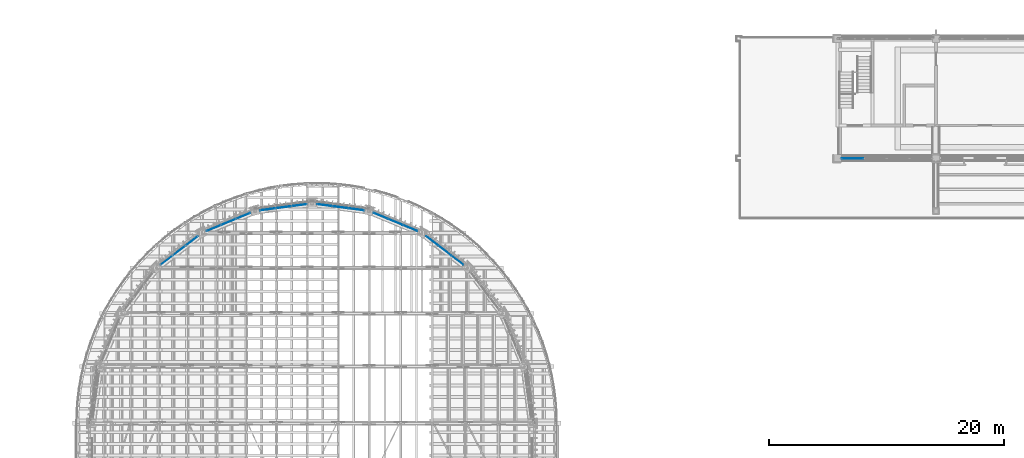
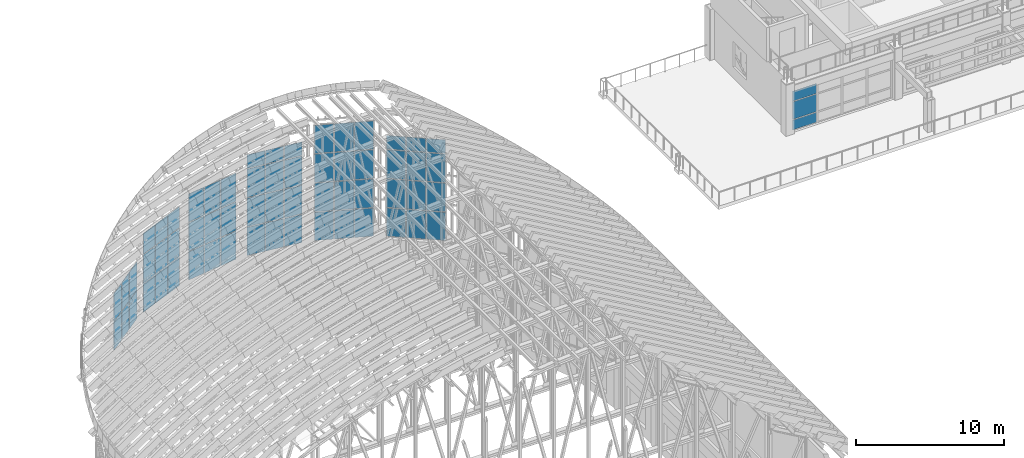
# One storey, part 50 of 105: 63 plates, 7 elements without a shape of their own.
"""IFC4 building model written with IfcOpenShell, lengths in metres."""

import ifcopenshell
import ifcopenshell.guid

model = None  # the IFC model being written
_history = None  # IfcOwnerHistory: only IFC2X3 demands one
_inside = {}  # id of a spatial element -> (the spatial element, [elements in it])
_under = {}  # id of a project, library or spatial element -> (it, [spatial elements below it])
_declared = {}  # id of a project -> (the project, [libraries it declares])
_typed = {}  # id of a type object -> (the type object, [elements of that type])
_made_of = {}  # id of a material, layer set ... -> (it, [elements and type objects made of it])


def new_model(schema):
    """Start an empty IFC model of exactly this schema.

    Asked for "IFC4X3", IfcOpenShell would pick the latest addendum, in which some entities
    have other attributes; the version numbers below select the first issue.
    IFC2X3 requires an IfcOwnerHistory on every rooted entity: one is made here for all.
    """
    global model, _history
    if schema == "IFC4X3":
        model = ifcopenshell.file(schema_version=(4, 3, 0, 0))
    else:
        model = ifcopenshell.file(schema=schema)
    _inside.clear()
    _under.clear()
    _declared.clear()
    _typed.clear()
    _made_of.clear()
    _history = None
    if model.schema == "IFC2X3":
        org = make("IfcOrganization", Name="unknown")
        user = make(
            "IfcPersonAndOrganization",
            ThePerson=make("IfcPerson", FamilyName="unknown"),
            TheOrganization=org,
        )
        app = make(
            "IfcApplication",
            ApplicationDeveloper=org,
            Version="unknown",
            ApplicationFullName="unknown",
            ApplicationIdentifier="unknown",
        )
        _history = make(
            "IfcOwnerHistory",
            OwningUser=user,
            OwningApplication=app,
            ChangeAction="ADDED",
            CreationDate=0,
        )
    return model


def make(cls, **values):
    """One entity of the class cls with the attributes given. An attribute that is None is left unset."""
    return model.create_entity(
        cls, **{name: value for name, value in values.items() if value is not None}
    )


def rooted(cls, **values):
    """An entity with a GlobalId (a new one), such as an element, a storey or a relation."""
    return make(cls, GlobalId=ifcopenshell.guid.new(), OwnerHistory=_history, **values)


def si_unit(unit_type, name, prefix=None):
    """IfcSIUnit, for example si_unit("LENGTHUNIT", "METRE", prefix="MILLI")."""
    return make("IfcSIUnit", UnitType=unit_type, Prefix=prefix, Name=name)


def assignment(units):
    """IfcUnitAssignment: the units of a project."""
    return None if units is None else make("IfcUnitAssignment", Units=units)


def point(xyz):
    """IfcCartesianPoint."""
    return None if xyz is None else make("IfcCartesianPoint", Coordinates=xyz)


def direction(xyz):
    """IfcDirection."""
    return None if xyz is None else make("IfcDirection", DirectionRatios=xyz)


def frame(location, z_axis=None, x_axis=None):
    """IfcAxis2Placement3D, a coordinate frame: its origin and axes. An axis left out is left unset."""
    return make(
        "IfcAxis2Placement3D",
        Location=point(location),
        Axis=direction(z_axis),
        RefDirection=direction(x_axis),
    )


def frame_2d(location, x_axis=None):
    """IfcAxis2Placement2D, a coordinate frame in the plane: its origin and x axis."""
    return make(
        "IfcAxis2Placement2D", Location=point(location), RefDirection=direction(x_axis)
    )


def origin():
    """The frame at (0, 0, 0) with its axes left unset."""
    return frame((0.0, 0.0, 0.0))


def origin_2d():
    """The frame at (0, 0) in the plane with its x axis left unset."""
    return frame_2d((0.0, 0.0))


def place(relative_to, where):
    """IfcLocalPlacement: puts the frame where relative to a parent placement (None: the world)."""
    return make(
        "IfcLocalPlacement", PlacementRelTo=relative_to, RelativePlacement=where
    )


def context(
    kind, dimensions, precision=None, world=None, true_north=None, identifier=None
):
    """IfcGeometricRepresentationContext, for example the 3D "Model" context."""
    return make(
        "IfcGeometricRepresentationContext",
        ContextIdentifier=identifier,
        ContextType=kind,
        CoordinateSpaceDimension=dimensions,
        Precision=precision,
        WorldCoordinateSystem=world,
        TrueNorth=true_north,
    )


def subcontext(parent, identifier, kind, view, scale=None):
    """IfcGeometricRepresentationSubContext, for example "Body" below "Model"."""
    return make(
        "IfcGeometricRepresentationSubContext",
        ContextIdentifier=identifier,
        ContextType=kind,
        ParentContext=parent,
        TargetScale=scale,
        TargetView=view,
    )


def project(units=None, contexts=None):
    """IfcProject with its units and contexts."""
    return rooted(
        "IfcProject",
        Name="project",
        RepresentationContexts=contexts,
        UnitsInContext=assignment(units),
    )


def spatial(cls, under=None, at=None, **own):
    """A site, building, storey or space (cls), placed at a placement, below another one or the project."""
    s = rooted(cls, ObjectPlacement=at, **own)
    if under is not None:
        _under.setdefault(under.id(), (under, []))[1].append(s)
    return s


def profile(cls, at=None, kind="AREA", **sizes):
    """A parametric profile (cls). Its sizes go by their IFC names, for example OverallWidth=200.0."""
    return make(cls, ProfileType=kind, Position=at, **sizes)


def rectangle(**sizes):
    """IfcRectangleProfileDef."""
    return profile("IfcRectangleProfileDef", **sizes)


def extrude(swept, where, along, depth):
    """IfcExtrudedAreaSolid: the profile swept, set in the frame where, extruded along a direction by depth."""
    return make(
        "IfcExtrudedAreaSolid",
        SweptArea=swept,
        Position=where,
        ExtrudedDirection=direction(along),
        Depth=depth,
    )


def shape(context_of_items, identifier, shape_type, items):
    """IfcShapeRepresentation: the items that make up one representation, for example the "Body"."""
    return make(
        "IfcShapeRepresentation",
        ContextOfItems=context_of_items,
        RepresentationIdentifier=identifier,
        RepresentationType=shape_type,
        Items=items,
    )


def material(Name=None, Category=None):
    """IfcMaterial."""
    return make("IfcMaterial", Name=Name, Category=Category)


def layer(
    of_material, thickness, ventilated=None, Name=None, Category=None, Priority=None
):
    """IfcMaterialLayer: one layer of a wall or slab, of a material (None: an air gap)."""
    return make(
        "IfcMaterialLayer",
        Material=of_material,
        LayerThickness=thickness,
        IsVentilated=ventilated,
        Name=Name,
        Category=Category,
        Priority=Priority,
    )


def layer_set(layers, Name=None):
    """IfcMaterialLayerSet."""
    return make("IfcMaterialLayerSet", MaterialLayers=layers, LayerSetName=Name)


def made_of(thing, what):
    """Note that an element or type object is made of a material, layer set ...; save() writes the relation."""
    if what is not None:
        _made_of.setdefault(what.id(), (what, []))[1].append(thing)
    return thing


def type_object(cls, material=None, **own):
    """A type object (cls), such as IfcWallType, which elements share."""
    return made_of(rooted(cls, **own), material)


def element(
    cls,
    number,
    at=None,
    inside=None,
    cuts=None,
    type_object=None,
    material=None,
    context=None,
    identifier="Body",
    shape_type=None,
    held_by="IfcProductDefinitionShape",
    body=None,
    shapes=None,
    **own,
):
    """One element of the class cls, such as IfcWall. Its Tag is "e" and its number.

    at: its placement. inside: the storey or other place that contains it. cuts: it is an
    opening in that element (IfcRelVoidsElement). A single representation is given by context,
    identifier, shape_type and body (its items); several are given by shapes. held_by: the class
    of the entity that holds the representations. save() writes the other relations.
    """
    e = rooted(cls, Tag="e%d" % number, ObjectPlacement=at, **own)
    if body is not None:
        shapes = [shape(context, identifier, shape_type, body)]
    if shapes is not None:
        e.Representation = make(held_by, Representations=shapes)
    if inside is not None:
        _inside.setdefault(inside.id(), (inside, []))[1].append(e)
    if cuts is not None:
        rooted(
            "IfcRelVoidsElement", RelatingBuildingElement=cuts, RelatedOpeningElement=e
        )
    if type_object is not None:
        _typed.setdefault(type_object.id(), (type_object, []))[1].append(e)
    return made_of(e, material)


def aggregate(whole, parts):
    """IfcRelAggregates: a whole, such as a stair, and the parts it consists of."""
    return rooted("IfcRelAggregates", RelatingObject=whole, RelatedObjects=parts)


def save(model, path):
    """Write the relations noted so far, then the file.

    IfcRelAggregates (storeys below a building ...), IfcRelContainedInSpatialStructure (elements
    in a storey), IfcRelDefinesByType, IfcRelAssociatesMaterial and IfcRelDeclares: one each for
    every whole, place, type object, material and project.
    """
    for whole, parts in _under.values():
        aggregate(whole, parts)
    for where, things in _inside.values():
        rooted(
            "IfcRelContainedInSpatialStructure",
            RelatedElements=things,
            RelatingStructure=where,
        )
    for kind, things in _typed.values():
        rooted("IfcRelDefinesByType", RelatedObjects=things, RelatingType=kind)
    for what, things in _made_of.values():
        rooted("IfcRelAssociatesMaterial", RelatedObjects=things, RelatingMaterial=what)
    for by, libraries in _declared.values():
        rooted("IfcRelDeclares", RelatingContext=by, RelatedDefinitions=libraries)
    model.write(path)


model = new_model("IFC4")

# Units and contexts
model_context = context("Model", 3, precision=1e-05, world=origin(), true_north=direction((0.0, 1.0)))
body_context = subcontext(model_context, "Body", "Model", "MODEL_VIEW")
ifc_project = project(units=[si_unit("LENGTHUNIT", "METRE"), si_unit("AREAUNIT", "SQUARE_METRE"), si_unit("VOLUMEUNIT", "CUBIC_METRE"), si_unit("PLANEANGLEUNIT", "RADIAN"), si_unit("MASSUNIT", "GRAM", prefix="KILO")], contexts=[model_context])

# Site, building, storey
site_placement = place(None, origin())
site = spatial("IfcSite", under=ifc_project, at=site_placement, CompositionType="ELEMENT")
building_placement = place(site_placement, origin())
building = spatial("IfcBuilding", under=site, at=building_placement, Name="Wasatch Bagh Community Centre", CompositionType="ELEMENT")
storey_placement = place(building_placement, frame((0.0, 0.0, 16.800048828125)))
storey = spatial("IfcBuildingStorey", under=building, at=storey_placement, Name="L04", CompositionType="ELEMENT", Elevation=16.800048828125)

# Curtain wall, plates
ifc_material_1 = material(Name="Aluminium curtain wall frame with low-iron glass", Category="aluminium")
ifc_layer_1 = layer(ifc_material_1, 0.139892578125)
ifc_layer_set_1 = layer_set([ifc_layer_1], Name="Aluminium curtain wall frame with low-iron glass")
curtain_wall_type_1 = type_object("IfcCurtainWallType", Name="LW terrace front curtain wall 140", PredefinedType="NOTDEFINED", material=ifc_layer_set_1)
curtain_wall_1_placement = place(storey_placement, origin())
curtain_wall_1 = element("IfcCurtainWall", 1, at=curtain_wall_1_placement, inside=storey, type_object=curtain_wall_type_1, Name="Curtain wall 04.01", PredefinedType="NOTDEFINED")
ifc_material_2 = material(Name="Low-iron insulated glass", Category="glass")
ifc_layer_2 = layer(ifc_material_2, 0.028076171875)
ifc_layer_set_2 = layer_set([ifc_layer_2], Name="Low-iron insulated glass")
plate_type_1 = type_object("IfcPlateType", Name="LW curtain wall panel 28 LW-CW3", PredefinedType="CURTAIN_PANEL", material=ifc_layer_set_2)
plate_1_placement = place(storey_placement, frame((82.090087890625, 87.60009765625, 0.059814453125), z_axis=(0.0, 0.0, 1.0), x_axis=(1.0, 0.0, 0.0)))
plate_1 = element("IfcPlate", 2, at=plate_1_placement, type_object=plate_type_1, Name="LW-CW3 panel 1.1", PredefinedType="CURTAIN_PANEL", context=body_context, shape_type="SweptSolid", body=[
    extrude(rectangle(XDim=1.860107421875, YDim=0.028076171875, at=origin_2d()), origin(), (0.0, 0.0, 1.0), 0.81005859375),
])
plate_2_placement = place(storey_placement, frame((82.090087890625, 87.60009765625, 0.929931640625), z_axis=(0.0, 0.0, 1.0), x_axis=(1.0, 0.0, 0.0)))
plate_2 = element("IfcPlate", 3, at=plate_2_placement, type_object=plate_type_1, Name="LW-CW3 panel 1.2", PredefinedType="CURTAIN_PANEL", context=body_context, shape_type="SweptSolid", body=[
    extrude(rectangle(XDim=1.860107421875, YDim=0.028076171875, at=origin_2d()), origin(), (0.0, 0.0, 1.0), 1.43994140625),
])
plate_3_placement = place(storey_placement, frame((82.090087890625, 87.60009765625, 2.429931640625), z_axis=(0.0, 0.0, 1.0), x_axis=(1.0, 0.0, 0.0)))
plate_3 = element("IfcPlate", 4, at=plate_3_placement, type_object=plate_type_1, Name="LW-CW3 panel 1.3", PredefinedType="CURTAIN_PANEL", context=body_context, shape_type="SweptSolid", body=[
    extrude(rectangle(XDim=1.860107421875, YDim=0.028076171875, at=origin_2d()), origin(), (0.0, 0.0, 1.0), 0.81005859375),
])
aggregate(curtain_wall_1, [plate_1, plate_2, plate_3])

ifc_layer_3 = layer(ifc_material_1, 0.10009765625)
ifc_layer_set_3 = layer_set([ifc_layer_3], Name="Aluminium curtain wall frame with low-iron glass")
curtain_wall_type_2 = type_object("IfcCurtainWallType", Name="MH end screen curtain wall 7", PredefinedType="NOTDEFINED", material=ifc_layer_set_3)
curtain_wall_2_placement = place(storey_placement, origin())
curtain_wall_2 = element("IfcCurtainWall", 5, at=curtain_wall_2_placement, inside=storey, type_object=curtain_wall_type_2, Name="End screen 22", PredefinedType="NOTDEFINED")
ifc_layer_4 = layer(ifc_material_2, 0.028076171875)
ifc_layer_set_4 = layer_set([ifc_layer_4], Name="Low-iron insulated glass")
plate_type_2 = type_object("IfcPlateType", Name="MH end screen panel 28", PredefinedType="CURTAIN_PANEL", material=ifc_layer_set_4)
plate_4_placement = place(storey_placement, frame((47.316650390625, 79.748046875, 7.760009765625), z_axis=(0.0, 0.0, 1.0), x_axis=(-0.79335334027, 0.608761429036, 0.0)))
plate_4 = element("IfcPlate", 6, at=plate_4_placement, type_object=plate_type_2, Name="MH-CW7 panel 2.1", PredefinedType="CURTAIN_PANEL", context=body_context, shape_type="SweptSolid", body=[
    extrude(rectangle(XDim=1.31396484375, YDim=0.028076171875, at=origin_2d()), origin(), (0.0, 0.0, 1.0), 2.31005859375),
])
plate_5_placement = place(storey_placement, frame((47.316650390625, 79.748046875, 10.1298828125), z_axis=(0.0, 0.0, 1.0), x_axis=(-0.79335334027, 0.608761429036, 0.0)))
plate_5 = element("IfcPlate", 7, at=plate_5_placement, type_object=plate_type_2, Name="MH-CW7 panel 2.2", PredefinedType="CURTAIN_PANEL", context=body_context, shape_type="SweptSolid", body=[
    extrude(rectangle(XDim=1.31396484375, YDim=0.028076171875, at=origin_2d()), origin(), (0.0, 0.0, 1.0), 2.340087890625),
])

curtain_wall_3_placement = place(storey_placement, origin())
curtain_wall_3 = element("IfcCurtainWall", 8, at=curtain_wall_3_placement, inside=storey, type_object=curtain_wall_type_2, Name="End screen 24", PredefinedType="NOTDEFINED")
plate_6_placement = place(storey_placement, frame((39.773681640625, 83.253173828125, 7.760009765625), z_axis=(0.0, 0.0, 1.0), x_axis=(-0.991444861374, 0.13052619222, 0.0)))
plate_6 = element("IfcPlate", 9, at=plate_6_placement, type_object=plate_type_2, Name="MH-CW7 panel 1.1", PredefinedType="CURTAIN_PANEL", context=body_context, shape_type="SweptSolid", body=[
    extrude(rectangle(XDim=1.283935546875, YDim=0.028076171875, at=origin_2d()), origin(), (0.0, 0.0, 1.0), 2.31005859375),
])
plate_7_placement = place(storey_placement, frame((39.773681640625, 83.253173828125, 10.1298828125), z_axis=(0.0, 0.0, 1.0), x_axis=(-0.991444861374, 0.13052619222, 0.0)))
plate_7 = element("IfcPlate", 10, at=plate_7_placement, type_object=plate_type_2, Name="MH-CW7 panel 1.2", PredefinedType="CURTAIN_PANEL", context=body_context, shape_type="SweptSolid", body=[
    extrude(rectangle(XDim=1.283935546875, YDim=0.028076171875, at=origin_2d()), origin(), (0.0, 0.0, 1.0), 2.340087890625),
])
plate_8_placement = place(storey_placement, frame((39.773681640625, 83.253173828125, 12.52978515625), z_axis=(0.0, 0.0, 1.0), x_axis=(-0.991444861374, 0.13052619222, 0.0)))
plate_8 = element("IfcPlate", 11, at=plate_8_placement, type_object=plate_type_2, Name="MH-CW7 panel 1.3", PredefinedType="CURTAIN_PANEL", context=body_context, shape_type="SweptSolid", body=[
    extrude(rectangle(XDim=1.283935546875, YDim=0.028076171875, at=origin_2d()), origin(), (0.0, 0.0, 1.0), 2.340087890625),
])
plate_9_placement = place(storey_placement, frame((39.773681640625, 83.253173828125, 14.9296875), z_axis=(0.0, 0.0, 1.0), x_axis=(-0.991444861374, 0.13052619222, 0.0)))
plate_9 = element("IfcPlate", 12, at=plate_9_placement, type_object=plate_type_2, Name="MH-CW7 panel 1.4", PredefinedType="CURTAIN_PANEL", context=body_context, shape_type="SweptSolid", body=[
    extrude(rectangle(XDim=1.283935546875, YDim=0.028076171875, at=origin_2d()), origin(), (0.0, 0.0, 1.0), 1.110107421875),
])
plate_10_placement = place(storey_placement, frame((38.426513671875, 83.4306640625, 7.760009765625), z_axis=(0.0, 0.0, 1.0), x_axis=(-0.991444861374, 0.13052619222, 0.0)))
plate_10 = element("IfcPlate", 13, at=plate_10_placement, type_object=plate_type_2, Name="MH-CW7 panel 2.1", PredefinedType="CURTAIN_PANEL", context=body_context, shape_type="SweptSolid", body=[
    extrude(rectangle(XDim=1.31396484375, YDim=0.028076171875, at=origin_2d()), origin(), (0.0, 0.0, 1.0), 2.31005859375),
])
plate_11_placement = place(storey_placement, frame((38.426513671875, 83.4306640625, 10.1298828125), z_axis=(0.0, 0.0, 1.0), x_axis=(-0.991444861374, 0.13052619222, 0.0)))
plate_11 = element("IfcPlate", 14, at=plate_11_placement, type_object=plate_type_2, Name="MH-CW7 panel 2.2", PredefinedType="CURTAIN_PANEL", context=body_context, shape_type="SweptSolid", body=[
    extrude(rectangle(XDim=1.31396484375, YDim=0.028076171875, at=origin_2d()), origin(), (0.0, 0.0, 1.0), 2.340087890625),
])
plate_12_placement = place(storey_placement, frame((38.426513671875, 83.4306640625, 12.52978515625), z_axis=(0.0, 0.0, 1.0), x_axis=(-0.991444861374, 0.13052619222, 0.0)))
plate_12 = element("IfcPlate", 15, at=plate_12_placement, type_object=plate_type_2, Name="MH-CW7 panel 2.3", PredefinedType="CURTAIN_PANEL", context=body_context, shape_type="SweptSolid", body=[
    extrude(rectangle(XDim=1.31396484375, YDim=0.028076171875, at=origin_2d()), origin(), (0.0, 0.0, 1.0), 2.340087890625),
])
plate_13_placement = place(storey_placement, frame((38.426513671875, 83.4306640625, 14.9296875), z_axis=(0.0, 0.0, 1.0), x_axis=(-0.991444861374, 0.13052619222, 0.0)))
plate_13 = element("IfcPlate", 16, at=plate_13_placement, type_object=plate_type_2, Name="MH-CW7 panel 2.4", PredefinedType="CURTAIN_PANEL", context=body_context, shape_type="SweptSolid", body=[
    extrude(rectangle(XDim=1.31396484375, YDim=0.028076171875, at=origin_2d()), origin(), (0.0, 0.0, 1.0), 1.110107421875),
])
plate_14_placement = place(storey_placement, frame((37.0791015625, 83.60791015625, 7.760009765625), z_axis=(0.0, 0.0, 1.0), x_axis=(-0.991444861374, 0.13052619222, 0.0)))
plate_14 = element("IfcPlate", 17, at=plate_14_placement, type_object=plate_type_2, Name="MH-CW7 panel 3.1", PredefinedType="CURTAIN_PANEL", context=body_context, shape_type="SweptSolid", body=[
    extrude(rectangle(XDim=1.283935546875, YDim=0.028076171875, at=origin_2d()), origin(), (0.0, 0.0, 1.0), 2.31005859375),
])
plate_15_placement = place(storey_placement, frame((37.0791015625, 83.60791015625, 10.1298828125), z_axis=(0.0, 0.0, 1.0), x_axis=(-0.991444861374, 0.13052619222, 0.0)))
plate_15 = element("IfcPlate", 18, at=plate_15_placement, type_object=plate_type_2, Name="MH-CW7 panel 3.2", PredefinedType="CURTAIN_PANEL", context=body_context, shape_type="SweptSolid", body=[
    extrude(rectangle(XDim=1.283935546875, YDim=0.028076171875, at=origin_2d()), origin(), (0.0, 0.0, 1.0), 2.340087890625),
])
plate_16_placement = place(storey_placement, frame((37.0791015625, 83.60791015625, 12.52978515625), z_axis=(0.0, 0.0, 1.0), x_axis=(-0.991444861374, 0.13052619222, 0.0)))
plate_16 = element("IfcPlate", 19, at=plate_16_placement, type_object=plate_type_2, Name="MH-CW7 panel 3.3", PredefinedType="CURTAIN_PANEL", context=body_context, shape_type="SweptSolid", body=[
    extrude(rectangle(XDim=1.283935546875, YDim=0.028076171875, at=origin_2d()), origin(), (0.0, 0.0, 1.0), 2.340087890625),
])
plate_17_placement = place(storey_placement, frame((37.0791015625, 83.60791015625, 14.9296875), z_axis=(0.0, 0.0, 1.0), x_axis=(-0.991444861374, 0.13052619222, 0.0)))
plate_17 = element("IfcPlate", 20, at=plate_17_placement, type_object=plate_type_2, Name="MH-CW7 panel 3.4", PredefinedType="CURTAIN_PANEL", context=body_context, shape_type="SweptSolid", body=[
    extrude(rectangle(XDim=1.283935546875, YDim=0.028076171875, at=origin_2d()), origin(), (0.0, 0.0, 1.0), 1.110107421875),
])
aggregate(curtain_wall_3, [plate_6, plate_7, plate_8, plate_9, plate_10, plate_11, plate_12, plate_13, plate_14, plate_15, plate_16, plate_17])

ifc_layer_5 = layer(ifc_material_1, 0.10009765625)
ifc_layer_set_5 = layer_set([ifc_layer_5], Name="Aluminium curtain wall frame with low-iron glass")
curtain_wall_type_3 = type_object("IfcCurtainWallType", Name="MH end screen curtain wall 6", PredefinedType="NOTDEFINED", material=ifc_layer_set_5)
curtain_wall_4_placement = place(storey_placement, origin())
curtain_wall_4 = element("IfcCurtainWall", 21, at=curtain_wall_4_placement, inside=storey, type_object=curtain_wall_type_3, Name="End screen 25", PredefinedType="NOTDEFINED")
plate_18_placement = place(storey_placement, frame((34.9208984375, 83.60791015625, 7.760009765625), z_axis=(0.0, 0.0, 1.0), x_axis=(-0.991444861374, -0.13052619222, 0.0)))
plate_18 = element("IfcPlate", 22, at=plate_18_placement, type_object=plate_type_2, Name="MH-CW6 panel 1.1", PredefinedType="CURTAIN_PANEL", context=body_context, shape_type="SweptSolid", body=[
    extrude(rectangle(XDim=1.283935546875, YDim=0.028076171875, at=origin_2d()), origin(), (0.0, 0.0, 1.0), 2.31005859375),
])
plate_19_placement = place(storey_placement, frame((34.9208984375, 83.60791015625, 10.1298828125), z_axis=(0.0, 0.0, 1.0), x_axis=(-0.991444861374, -0.13052619222, 0.0)))
plate_19 = element("IfcPlate", 23, at=plate_19_placement, type_object=plate_type_2, Name="MH-CW6 panel 1.2", PredefinedType="CURTAIN_PANEL", context=body_context, shape_type="SweptSolid", body=[
    extrude(rectangle(XDim=1.283935546875, YDim=0.028076171875, at=origin_2d()), origin(), (0.0, 0.0, 1.0), 2.340087890625),
])
plate_20_placement = place(storey_placement, frame((34.9208984375, 83.60791015625, 12.530029296875), z_axis=(0.0, 0.0, 1.0), x_axis=(-0.991444861374, -0.13052619222, 0.0)))
plate_20 = element("IfcPlate", 24, at=plate_20_placement, type_object=plate_type_2, Name="MH-CW6 panel 1.3", PredefinedType="CURTAIN_PANEL", context=body_context, shape_type="SweptSolid", body=[
    extrude(rectangle(XDim=1.283935546875, YDim=0.028076171875, at=origin_2d()), origin(), (0.0, 0.0, 1.0), 2.31005859375),
])
plate_21_placement = place(storey_placement, frame((33.573486328125, 83.4306640625, 7.760009765625), z_axis=(0.0, 0.0, 1.0), x_axis=(-0.991444861374, -0.13052619222, 0.0)))
plate_21 = element("IfcPlate", 25, at=plate_21_placement, type_object=plate_type_2, Name="MH-CW6 panel 2.1", PredefinedType="CURTAIN_PANEL", context=body_context, shape_type="SweptSolid", body=[
    extrude(rectangle(XDim=1.31396484375, YDim=0.028076171875, at=origin_2d()), origin(), (0.0, 0.0, 1.0), 2.31005859375),
])
plate_22_placement = place(storey_placement, frame((33.573486328125, 83.4306640625, 10.1298828125), z_axis=(0.0, 0.0, 1.0), x_axis=(-0.991444861374, -0.13052619222, 0.0)))
plate_22 = element("IfcPlate", 26, at=plate_22_placement, type_object=plate_type_2, Name="MH-CW6 panel 2.2", PredefinedType="CURTAIN_PANEL", context=body_context, shape_type="SweptSolid", body=[
    extrude(rectangle(XDim=1.31396484375, YDim=0.028076171875, at=origin_2d()), origin(), (0.0, 0.0, 1.0), 2.340087890625),
])
plate_23_placement = place(storey_placement, frame((33.573486328125, 83.4306640625, 12.530029296875), z_axis=(0.0, 0.0, 1.0), x_axis=(-0.991444861374, -0.13052619222, 0.0)))
plate_23 = element("IfcPlate", 27, at=plate_23_placement, type_object=plate_type_2, Name="MH-CW6 panel 2.3", PredefinedType="CURTAIN_PANEL", context=body_context, shape_type="SweptSolid", body=[
    extrude(rectangle(XDim=1.31396484375, YDim=0.028076171875, at=origin_2d()), origin(), (0.0, 0.0, 1.0), 2.31005859375),
])
plate_24_placement = place(storey_placement, frame((32.226318359375, 83.253173828125, 7.760009765625), z_axis=(0.0, 0.0, 1.0), x_axis=(-0.991444861374, -0.13052619222, 0.0)))
plate_24 = element("IfcPlate", 28, at=plate_24_placement, type_object=plate_type_2, Name="MH-CW6 panel 3.1", PredefinedType="CURTAIN_PANEL", context=body_context, shape_type="SweptSolid", body=[
    extrude(rectangle(XDim=1.283935546875, YDim=0.028076171875, at=origin_2d()), origin(), (0.0, 0.0, 1.0), 2.31005859375),
])
plate_25_placement = place(storey_placement, frame((32.226318359375, 83.253173828125, 10.1298828125), z_axis=(0.0, 0.0, 1.0), x_axis=(-0.991444861374, -0.13052619222, 0.0)))
plate_25 = element("IfcPlate", 29, at=plate_25_placement, type_object=plate_type_2, Name="MH-CW6 panel 3.2", PredefinedType="CURTAIN_PANEL", context=body_context, shape_type="SweptSolid", body=[
    extrude(rectangle(XDim=1.283935546875, YDim=0.028076171875, at=origin_2d()), origin(), (0.0, 0.0, 1.0), 2.340087890625),
])
plate_26_placement = place(storey_placement, frame((32.226318359375, 83.253173828125, 12.530029296875), z_axis=(0.0, 0.0, 1.0), x_axis=(-0.991444861374, -0.13052619222, 0.0)))
plate_26 = element("IfcPlate", 30, at=plate_26_placement, type_object=plate_type_2, Name="MH-CW6 panel 3.3", PredefinedType="CURTAIN_PANEL", context=body_context, shape_type="SweptSolid", body=[
    extrude(rectangle(XDim=1.283935546875, YDim=0.028076171875, at=origin_2d()), origin(), (0.0, 0.0, 1.0), 2.31005859375),
])
aggregate(curtain_wall_4, [plate_18, plate_19, plate_20, plate_21, plate_22, plate_23, plate_24, plate_25, plate_26])

# Curtain wall, plate
ifc_layer_6 = layer(ifc_material_1, 0.10009765625)
ifc_layer_set_6 = layer_set([ifc_layer_6], Name="Aluminium curtain wall frame with low-iron glass")
curtain_wall_type_4 = type_object("IfcCurtainWallType", Name="MH end screen curtain wall 4", PredefinedType="NOTDEFINED", material=ifc_layer_set_6)
curtain_wall_5_placement = place(storey_placement, origin())
curtain_wall_5 = element("IfcCurtainWall", 31, at=curtain_wall_5_placement, inside=storey, type_object=curtain_wall_type_4, Name="End screen 27", PredefinedType="NOTDEFINED")
plate_27_placement = place(storey_placement, frame((24.683349609375, 79.748046875, 7.760009765625), z_axis=(0.0, 0.0, 1.0), x_axis=(-0.79335334027, -0.608761429036, 0.0)))
plate_27 = element("IfcPlate", 32, at=plate_27_placement, type_object=plate_type_2, Name="MH-CW4 panel 2.1", PredefinedType="CURTAIN_PANEL", context=body_context, shape_type="SweptSolid", body=[
    extrude(rectangle(XDim=1.31396484375, YDim=0.028076171875, at=origin_2d()), origin(), (0.0, 0.0, 1.0), 2.31005859375),
])

# Plate
ifc_material_3 = material(Name="Insulated aluminium spandrel panel", Category="aluminium")
ifc_layer_7 = layer(ifc_material_3, 0.0400390625)
ifc_layer_set_7 = layer_set([ifc_layer_7], Name="Insulated aluminium spandrel panel")
plate_type_3 = type_object("IfcPlateType", Name="MH end screen spandrel panel 40", PredefinedType="CURTAIN_PANEL", material=ifc_layer_set_7)
plate_28_placement = place(storey_placement, frame((48.394775390625, 78.9208984375, 7.760009765625), z_axis=(0.0, 0.0, 1.0), x_axis=(-0.79335334027, 0.608761429036, 0.0)))
plate_28 = element("IfcPlate", 33, at=plate_28_placement, type_object=plate_type_3, Name="MH-CW7 spandrel 1.1", PredefinedType="CURTAIN_PANEL", context=body_context, shape_type="SweptSolid", body=[
    extrude(rectangle(XDim=1.283935546875, YDim=0.028076171875, at=origin_2d()), origin(), (0.0, 0.0, 1.0), 2.31005859375),
])

plate_29_placement = place(storey_placement, frame((48.394775390625, 78.9208984375, 10.1298828125), z_axis=(0.0, 0.0, 1.0), x_axis=(-0.79335334027, 0.608761429036, 0.0)))
plate_29 = element("IfcPlate", 34, at=plate_29_placement, type_object=plate_type_3, Name="MH-CW7 spandrel 1.2", PredefinedType="CURTAIN_PANEL", context=body_context, shape_type="SweptSolid", body=[
    extrude(rectangle(XDim=1.283935546875, YDim=0.028076171875, at=origin_2d()), origin(), (0.0, 0.0, 1.0), 2.340087890625),
])

plate_30_placement = place(storey_placement, frame((48.394775390625, 78.9208984375, 12.52978515625), z_axis=(0.0, 0.0, 1.0), x_axis=(-0.79335334027, 0.608761429036, 0.0)))
plate_30 = element("IfcPlate", 35, at=plate_30_placement, type_object=plate_type_3, Name="MH-CW7 spandrel 1.3", PredefinedType="CURTAIN_PANEL", context=body_context, shape_type="SweptSolid", body=[
    extrude(rectangle(XDim=1.283935546875, YDim=0.028076171875, at=origin_2d()), origin(), (0.0, 0.0, 1.0), 2.340087890625),
])

plate_31_placement = place(storey_placement, frame((48.394775390625, 78.9208984375, 14.9296875), z_axis=(0.0, 0.0, 1.0), x_axis=(-0.79335334027, 0.608761429036, 0.0)))
plate_31 = element("IfcPlate", 36, at=plate_31_placement, type_object=plate_type_3, Name="MH-CW7 spandrel 1.4", PredefinedType="CURTAIN_PANEL", context=body_context, shape_type="SweptSolid", body=[
    extrude(rectangle(XDim=1.283935546875, YDim=0.028076171875, at=origin_2d()), origin(), (0.0, 0.0, 1.0), 1.110107421875),
])

plate_32_placement = place(storey_placement, frame((47.316650390625, 79.748046875, 12.52978515625), z_axis=(0.0, 0.0, 1.0), x_axis=(-0.79335334027, 0.608761429036, 0.0)))
plate_32 = element("IfcPlate", 37, at=plate_32_placement, type_object=plate_type_3, Name="MH-CW7 spandrel 2.3", PredefinedType="CURTAIN_PANEL", context=body_context, shape_type="SweptSolid", body=[
    extrude(rectangle(XDim=1.31396484375, YDim=0.028076171875, at=origin_2d()), origin(), (0.0, 0.0, 1.0), 2.340087890625),
])

plate_33_placement = place(storey_placement, frame((47.316650390625, 79.748046875, 14.9296875), z_axis=(0.0, 0.0, 1.0), x_axis=(-0.79335334027, 0.608761429036, 0.0)))
plate_33 = element("IfcPlate", 38, at=plate_33_placement, type_object=plate_type_3, Name="MH-CW7 spandrel 2.4", PredefinedType="CURTAIN_PANEL", context=body_context, shape_type="SweptSolid", body=[
    extrude(rectangle(XDim=1.31396484375, YDim=0.028076171875, at=origin_2d()), origin(), (0.0, 0.0, 1.0), 1.110107421875),
])

plate_34_placement = place(storey_placement, frame((46.238525390625, 80.575439453125, 7.760009765625), z_axis=(0.0, 0.0, 1.0), x_axis=(-0.79335334027, 0.608761429036, 0.0)))
plate_34 = element("IfcPlate", 39, at=plate_34_placement, type_object=plate_type_3, Name="MH-CW7 spandrel 3.1", PredefinedType="CURTAIN_PANEL", context=body_context, shape_type="SweptSolid", body=[
    extrude(rectangle(XDim=1.283935546875, YDim=0.028076171875, at=origin_2d()), origin(), (0.0, 0.0, 1.0), 2.31005859375),
])

plate_35_placement = place(storey_placement, frame((46.238525390625, 80.575439453125, 10.1298828125), z_axis=(0.0, 0.0, 1.0), x_axis=(-0.79335334027, 0.608761429036, 0.0)))
plate_35 = element("IfcPlate", 40, at=plate_35_placement, type_object=plate_type_3, Name="MH-CW7 spandrel 3.2", PredefinedType="CURTAIN_PANEL", context=body_context, shape_type="SweptSolid", body=[
    extrude(rectangle(XDim=1.283935546875, YDim=0.028076171875, at=origin_2d()), origin(), (0.0, 0.0, 1.0), 2.340087890625),
])

plate_36_placement = place(storey_placement, frame((46.238525390625, 80.575439453125, 12.52978515625), z_axis=(0.0, 0.0, 1.0), x_axis=(-0.79335334027, 0.608761429036, 0.0)))
plate_36 = element("IfcPlate", 41, at=plate_36_placement, type_object=plate_type_3, Name="MH-CW7 spandrel 3.3", PredefinedType="CURTAIN_PANEL", context=body_context, shape_type="SweptSolid", body=[
    extrude(rectangle(XDim=1.283935546875, YDim=0.028076171875, at=origin_2d()), origin(), (0.0, 0.0, 1.0), 2.340087890625),
])

plate_37_placement = place(storey_placement, frame((46.238525390625, 80.575439453125, 14.9296875), z_axis=(0.0, 0.0, 1.0), x_axis=(-0.79335334027, 0.608761429036, 0.0)))
plate_37 = element("IfcPlate", 42, at=plate_37_placement, type_object=plate_type_3, Name="MH-CW7 spandrel 3.4", PredefinedType="CURTAIN_PANEL", context=body_context, shape_type="SweptSolid", body=[
    extrude(rectangle(XDim=1.283935546875, YDim=0.028076171875, at=origin_2d()), origin(), (0.0, 0.0, 1.0), 1.110107421875),
])

aggregate(curtain_wall_2, [plate_28, plate_29, plate_30, plate_31, plate_4, plate_5, plate_32, plate_33, plate_34, plate_35, plate_36, plate_37])

# Curtain wall, plates
ifc_layer_8 = layer(ifc_material_1, 0.10009765625)
ifc_layer_set_8 = layer_set([ifc_layer_8], Name="Aluminium curtain wall frame with low-iron glass")
curtain_wall_type_5 = type_object("IfcCurtainWallType", Name="MH end screen curtain wall 8", PredefinedType="NOTDEFINED", material=ifc_layer_set_8)
curtain_wall_6_placement = place(storey_placement, origin())
curtain_wall_6 = element("IfcCurtainWall", 43, at=curtain_wall_6_placement, inside=storey, type_object=curtain_wall_type_5, Name="End screen 23", PredefinedType="NOTDEFINED")
plate_38_placement = place(storey_placement, frame((44.369384765625, 81.654541015625, 7.760009765625), z_axis=(0.0, 0.0, 1.0), x_axis=(-0.923879532585, 0.382683432188, 0.0)))
plate_38 = element("IfcPlate", 44, at=plate_38_placement, type_object=plate_type_3, Name="MH-CW8 spandrel 1.1", PredefinedType="CURTAIN_PANEL", context=body_context, shape_type="SweptSolid", body=[
    extrude(rectangle(XDim=1.283935546875, YDim=0.028076171875, at=origin_2d()), origin(), (0.0, 0.0, 1.0), 2.31005859375),
])
plate_39_placement = place(storey_placement, frame((44.369384765625, 81.654541015625, 10.1298828125), z_axis=(0.0, 0.0, 1.0), x_axis=(-0.923879532585, 0.382683432188, 0.0)))
plate_39 = element("IfcPlate", 45, at=plate_39_placement, type_object=plate_type_3, Name="MH-CW8 spandrel 1.2", PredefinedType="CURTAIN_PANEL", context=body_context, shape_type="SweptSolid", body=[
    extrude(rectangle(XDim=1.283935546875, YDim=0.028076171875, at=origin_2d()), origin(), (0.0, 0.0, 1.0), 2.340087890625),
])
plate_40_placement = place(storey_placement, frame((44.369384765625, 81.654541015625, 12.52978515625), z_axis=(0.0, 0.0, 1.0), x_axis=(-0.923879532585, 0.382683432188, 0.0)))
plate_40 = element("IfcPlate", 46, at=plate_40_placement, type_object=plate_type_3, Name="MH-CW8 spandrel 1.3", PredefinedType="CURTAIN_PANEL", context=body_context, shape_type="SweptSolid", body=[
    extrude(rectangle(XDim=1.283935546875, YDim=0.028076171875, at=origin_2d()), origin(), (0.0, 0.0, 1.0), 2.340087890625),
])
plate_41_placement = place(storey_placement, frame((44.369384765625, 81.654541015625, 14.929931640625), z_axis=(0.0, 0.0, 1.0), x_axis=(-0.923879532585, 0.382683432188, 0.0)))
plate_41 = element("IfcPlate", 47, at=plate_41_placement, type_object=plate_type_3, Name="MH-CW8 spandrel 1.4", PredefinedType="CURTAIN_PANEL", context=body_context, shape_type="SweptSolid", body=[
    extrude(rectangle(XDim=1.283935546875, YDim=0.028076171875, at=origin_2d()), origin(), (0.0, 0.0, 1.0), 2.31005859375),
])
plate_42_placement = place(storey_placement, frame((43.114013671875, 82.174560546875, 7.760009765625), z_axis=(0.0, 0.0, 1.0), x_axis=(-0.923879532585, 0.382683432188, 0.0)))
plate_42 = element("IfcPlate", 48, at=plate_42_placement, type_object=plate_type_3, Name="MH-CW8 spandrel 2.1", PredefinedType="CURTAIN_PANEL", context=body_context, shape_type="SweptSolid", body=[
    extrude(rectangle(XDim=1.31396484375, YDim=0.028076171875, at=origin_2d()), origin(), (0.0, 0.0, 1.0), 2.31005859375),
])
plate_43_placement = place(storey_placement, frame((43.114013671875, 82.174560546875, 10.1298828125), z_axis=(0.0, 0.0, 1.0), x_axis=(-0.923879532585, 0.382683432188, 0.0)))
plate_43 = element("IfcPlate", 49, at=plate_43_placement, type_object=plate_type_3, Name="MH-CW8 spandrel 2.2", PredefinedType="CURTAIN_PANEL", context=body_context, shape_type="SweptSolid", body=[
    extrude(rectangle(XDim=1.31396484375, YDim=0.028076171875, at=origin_2d()), origin(), (0.0, 0.0, 1.0), 2.340087890625),
])
plate_44_placement = place(storey_placement, frame((43.114013671875, 82.174560546875, 12.52978515625), z_axis=(0.0, 0.0, 1.0), x_axis=(-0.923879532585, 0.382683432188, 0.0)))
plate_44 = element("IfcPlate", 50, at=plate_44_placement, type_object=plate_type_3, Name="MH-CW8 spandrel 2.3", PredefinedType="CURTAIN_PANEL", context=body_context, shape_type="SweptSolid", body=[
    extrude(rectangle(XDim=1.31396484375, YDim=0.028076171875, at=origin_2d()), origin(), (0.0, 0.0, 1.0), 2.340087890625),
])
plate_45_placement = place(storey_placement, frame((43.114013671875, 82.174560546875, 14.929931640625), z_axis=(0.0, 0.0, 1.0), x_axis=(-0.923879532585, 0.382683432188, 0.0)))
plate_45 = element("IfcPlate", 51, at=plate_45_placement, type_object=plate_type_3, Name="MH-CW8 spandrel 2.4", PredefinedType="CURTAIN_PANEL", context=body_context, shape_type="SweptSolid", body=[
    extrude(rectangle(XDim=1.31396484375, YDim=0.028076171875, at=origin_2d()), origin(), (0.0, 0.0, 1.0), 2.31005859375),
])
plate_46_placement = place(storey_placement, frame((41.8583984375, 82.694580078125, 7.760009765625), z_axis=(0.0, 0.0, 1.0), x_axis=(-0.923879532585, 0.382683432188, 0.0)))
plate_46 = element("IfcPlate", 52, at=plate_46_placement, type_object=plate_type_3, Name="MH-CW8 spandrel 3.1", PredefinedType="CURTAIN_PANEL", context=body_context, shape_type="SweptSolid", body=[
    extrude(rectangle(XDim=1.283935546875, YDim=0.028076171875, at=origin_2d()), origin(), (0.0, 0.0, 1.0), 2.31005859375),
])
plate_47_placement = place(storey_placement, frame((41.8583984375, 82.694580078125, 10.1298828125), z_axis=(0.0, 0.0, 1.0), x_axis=(-0.923879532585, 0.382683432188, 0.0)))
plate_47 = element("IfcPlate", 53, at=plate_47_placement, type_object=plate_type_3, Name="MH-CW8 spandrel 3.2", PredefinedType="CURTAIN_PANEL", context=body_context, shape_type="SweptSolid", body=[
    extrude(rectangle(XDim=1.283935546875, YDim=0.028076171875, at=origin_2d()), origin(), (0.0, 0.0, 1.0), 2.340087890625),
])
plate_48_placement = place(storey_placement, frame((41.8583984375, 82.694580078125, 12.52978515625), z_axis=(0.0, 0.0, 1.0), x_axis=(-0.923879532585, 0.382683432188, 0.0)))
plate_48 = element("IfcPlate", 54, at=plate_48_placement, type_object=plate_type_3, Name="MH-CW8 spandrel 3.3", PredefinedType="CURTAIN_PANEL", context=body_context, shape_type="SweptSolid", body=[
    extrude(rectangle(XDim=1.283935546875, YDim=0.028076171875, at=origin_2d()), origin(), (0.0, 0.0, 1.0), 2.340087890625),
])
plate_49_placement = place(storey_placement, frame((41.8583984375, 82.694580078125, 14.929931640625), z_axis=(0.0, 0.0, 1.0), x_axis=(-0.923879532585, 0.382683432188, 0.0)))
plate_49 = element("IfcPlate", 55, at=plate_49_placement, type_object=plate_type_3, Name="MH-CW8 spandrel 3.4", PredefinedType="CURTAIN_PANEL", context=body_context, shape_type="SweptSolid", body=[
    extrude(rectangle(XDim=1.283935546875, YDim=0.028076171875, at=origin_2d()), origin(), (0.0, 0.0, 1.0), 2.31005859375),
])
aggregate(curtain_wall_6, [plate_38, plate_39, plate_40, plate_41, plate_42, plate_43, plate_44, plate_45, plate_46, plate_47, plate_48, plate_49])

ifc_layer_9 = layer(ifc_material_1, 0.10009765625)
ifc_layer_set_9 = layer_set([ifc_layer_9], Name="Aluminium curtain wall frame with low-iron glass")
curtain_wall_type_6 = type_object("IfcCurtainWallType", Name="MH end screen curtain wall 5", PredefinedType="NOTDEFINED", material=ifc_layer_set_9)
curtain_wall_7_placement = place(storey_placement, origin())
curtain_wall_7 = element("IfcCurtainWall", 56, at=curtain_wall_7_placement, inside=storey, type_object=curtain_wall_type_6, Name="End screen 26", PredefinedType="NOTDEFINED")
plate_50_placement = place(storey_placement, frame((30.1416015625, 82.694580078125, 7.760009765625), z_axis=(0.0, 0.0, 1.0), x_axis=(-0.923879532585, -0.382683432188, 0.0)))
plate_50 = element("IfcPlate", 57, at=plate_50_placement, type_object=plate_type_3, Name="MH-CW5 spandrel 1.1", PredefinedType="CURTAIN_PANEL", context=body_context, shape_type="SweptSolid", body=[
    extrude(rectangle(XDim=1.283935546875, YDim=0.028076171875, at=origin_2d()), origin(), (0.0, 0.0, 1.0), 2.31005859375),
])
plate_51_placement = place(storey_placement, frame((30.1416015625, 82.694580078125, 10.1298828125), z_axis=(0.0, 0.0, 1.0), x_axis=(-0.923879532585, -0.382683432188, 0.0)))
plate_51 = element("IfcPlate", 58, at=plate_51_placement, type_object=plate_type_3, Name="MH-CW5 spandrel 1.2", PredefinedType="CURTAIN_PANEL", context=body_context, shape_type="SweptSolid", body=[
    extrude(rectangle(XDim=1.283935546875, YDim=0.028076171875, at=origin_2d()), origin(), (0.0, 0.0, 1.0), 2.340087890625),
])
plate_52_placement = place(storey_placement, frame((30.1416015625, 82.694580078125, 12.530029296875), z_axis=(0.0, 0.0, 1.0), x_axis=(-0.923879532585, -0.382683432188, 0.0)))
plate_52 = element("IfcPlate", 59, at=plate_52_placement, type_object=plate_type_3, Name="MH-CW5 spandrel 1.3", PredefinedType="CURTAIN_PANEL", context=body_context, shape_type="SweptSolid", body=[
    extrude(rectangle(XDim=1.283935546875, YDim=0.028076171875, at=origin_2d()), origin(), (0.0, 0.0, 1.0), 1.7099609375),
])
plate_53_placement = place(storey_placement, frame((28.885986328125, 82.174560546875, 7.760009765625), z_axis=(0.0, 0.0, 1.0), x_axis=(-0.923879532585, -0.382683432188, 0.0)))
plate_53 = element("IfcPlate", 60, at=plate_53_placement, type_object=plate_type_3, Name="MH-CW5 spandrel 2.1", PredefinedType="CURTAIN_PANEL", context=body_context, shape_type="SweptSolid", body=[
    extrude(rectangle(XDim=1.31396484375, YDim=0.028076171875, at=origin_2d()), origin(), (0.0, 0.0, 1.0), 2.31005859375),
])
plate_54_placement = place(storey_placement, frame((28.885986328125, 82.174560546875, 10.1298828125), z_axis=(0.0, 0.0, 1.0), x_axis=(-0.923879532585, -0.382683432188, 0.0)))
plate_54 = element("IfcPlate", 61, at=plate_54_placement, type_object=plate_type_3, Name="MH-CW5 spandrel 2.2", PredefinedType="CURTAIN_PANEL", context=body_context, shape_type="SweptSolid", body=[
    extrude(rectangle(XDim=1.31396484375, YDim=0.028076171875, at=origin_2d()), origin(), (0.0, 0.0, 1.0), 2.340087890625),
])
plate_55_placement = place(storey_placement, frame((28.885986328125, 82.174560546875, 12.530029296875), z_axis=(0.0, 0.0, 1.0), x_axis=(-0.923879532585, -0.382683432188, 0.0)))
plate_55 = element("IfcPlate", 62, at=plate_55_placement, type_object=plate_type_3, Name="MH-CW5 spandrel 2.3", PredefinedType="CURTAIN_PANEL", context=body_context, shape_type="SweptSolid", body=[
    extrude(rectangle(XDim=1.31396484375, YDim=0.028076171875, at=origin_2d()), origin(), (0.0, 0.0, 1.0), 1.7099609375),
])
plate_56_placement = place(storey_placement, frame((27.630615234375, 81.654541015625, 7.760009765625), z_axis=(0.0, 0.0, 1.0), x_axis=(-0.923879532585, -0.382683432188, 0.0)))
plate_56 = element("IfcPlate", 63, at=plate_56_placement, type_object=plate_type_3, Name="MH-CW5 spandrel 3.1", PredefinedType="CURTAIN_PANEL", context=body_context, shape_type="SweptSolid", body=[
    extrude(rectangle(XDim=1.283935546875, YDim=0.028076171875, at=origin_2d()), origin(), (0.0, 0.0, 1.0), 2.31005859375),
])
plate_57_placement = place(storey_placement, frame((27.630615234375, 81.654541015625, 10.1298828125), z_axis=(0.0, 0.0, 1.0), x_axis=(-0.923879532585, -0.382683432188, 0.0)))
plate_57 = element("IfcPlate", 64, at=plate_57_placement, type_object=plate_type_3, Name="MH-CW5 spandrel 3.2", PredefinedType="CURTAIN_PANEL", context=body_context, shape_type="SweptSolid", body=[
    extrude(rectangle(XDim=1.283935546875, YDim=0.028076171875, at=origin_2d()), origin(), (0.0, 0.0, 1.0), 2.340087890625),
])
plate_58_placement = place(storey_placement, frame((27.630615234375, 81.654541015625, 12.530029296875), z_axis=(0.0, 0.0, 1.0), x_axis=(-0.923879532585, -0.382683432188, 0.0)))
plate_58 = element("IfcPlate", 65, at=plate_58_placement, type_object=plate_type_3, Name="MH-CW5 spandrel 3.3", PredefinedType="CURTAIN_PANEL", context=body_context, shape_type="SweptSolid", body=[
    extrude(rectangle(XDim=1.283935546875, YDim=0.028076171875, at=origin_2d()), origin(), (0.0, 0.0, 1.0), 1.7099609375),
])
aggregate(curtain_wall_7, [plate_50, plate_51, plate_52, plate_53, plate_54, plate_55, plate_56, plate_57, plate_58])

# Plate
plate_59_placement = place(storey_placement, frame((25.761474609375, 80.575439453125, 7.760009765625), z_axis=(0.0, 0.0, 1.0), x_axis=(-0.79335334027, -0.608761429036, 0.0)))
plate_59 = element("IfcPlate", 66, at=plate_59_placement, type_object=plate_type_3, Name="MH-CW4 spandrel 1.1", PredefinedType="CURTAIN_PANEL", context=body_context, shape_type="SweptSolid", body=[
    extrude(rectangle(XDim=1.283935546875, YDim=0.028076171875, at=origin_2d()), origin(), (0.0, 0.0, 1.0), 2.31005859375),
])

plate_60_placement = place(storey_placement, frame((25.761474609375, 80.575439453125, 10.1298828125), z_axis=(0.0, 0.0, 1.0), x_axis=(-0.79335334027, -0.608761429036, 0.0)))
plate_60 = element("IfcPlate", 67, at=plate_60_placement, type_object=plate_type_3, Name="MH-CW4 spandrel 1.2", PredefinedType="CURTAIN_PANEL", context=body_context, shape_type="SweptSolid", body=[
    extrude(rectangle(XDim=1.283935546875, YDim=0.028076171875, at=origin_2d()), origin(), (0.0, 0.0, 1.0), 2.31005859375),
])

plate_61_placement = place(storey_placement, frame((24.683349609375, 79.748046875, 10.1298828125), z_axis=(0.0, 0.0, 1.0), x_axis=(-0.79335334027, -0.608761429036, 0.0)))
plate_61 = element("IfcPlate", 68, at=plate_61_placement, type_object=plate_type_3, Name="MH-CW4 spandrel 2.2", PredefinedType="CURTAIN_PANEL", context=body_context, shape_type="SweptSolid", body=[
    extrude(rectangle(XDim=1.31396484375, YDim=0.028076171875, at=origin_2d()), origin(), (0.0, 0.0, 1.0), 2.31005859375),
])

plate_62_placement = place(storey_placement, frame((23.605224609375, 78.9208984375, 7.760009765625), z_axis=(0.0, 0.0, 1.0), x_axis=(-0.79335334027, -0.608761429036, 0.0)))
plate_62 = element("IfcPlate", 69, at=plate_62_placement, type_object=plate_type_3, Name="MH-CW4 spandrel 3.1", PredefinedType="CURTAIN_PANEL", context=body_context, shape_type="SweptSolid", body=[
    extrude(rectangle(XDim=1.283935546875, YDim=0.028076171875, at=origin_2d()), origin(), (0.0, 0.0, 1.0), 2.31005859375),
])

plate_63_placement = place(storey_placement, frame((23.605224609375, 78.9208984375, 10.1298828125), z_axis=(0.0, 0.0, 1.0), x_axis=(-0.79335334027, -0.608761429036, 0.0)))
plate_63 = element("IfcPlate", 70, at=plate_63_placement, type_object=plate_type_3, Name="MH-CW4 spandrel 3.2", PredefinedType="CURTAIN_PANEL", context=body_context, shape_type="SweptSolid", body=[
    extrude(rectangle(XDim=1.283935546875, YDim=0.028076171875, at=origin_2d()), origin(), (0.0, 0.0, 1.0), 2.31005859375),
])

aggregate(curtain_wall_5, [plate_59, plate_60, plate_27, plate_61, plate_62, plate_63])

save(model, "model.ifc")
